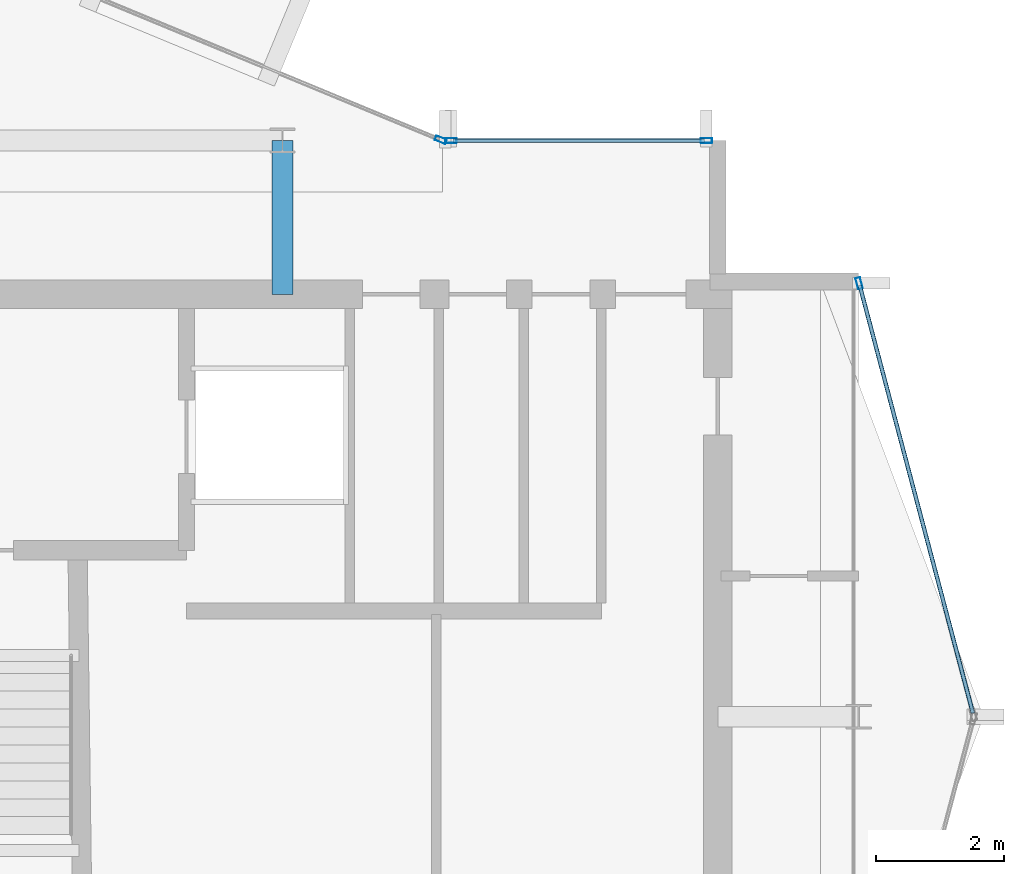
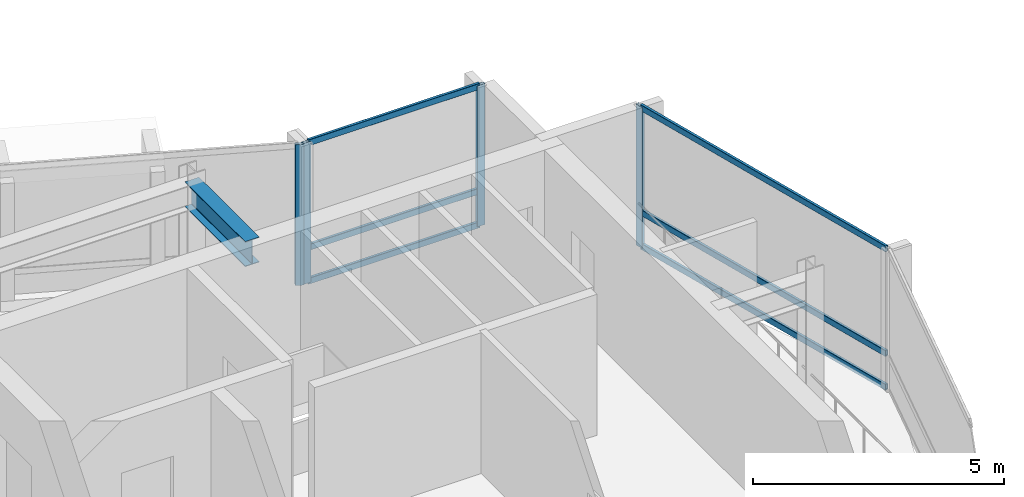
# One storey, part 10 of 19: 10 members, 1 beam, 3 elements without a shape of their own.
"""IFC4 building model written with IfcOpenShell, lengths in metres."""

from ifc_helpers import new_model, si_unit, direction, frame, origin, origin_2d, place, context, subcontext, project, spatial, hollow_rectangle, i_section, extrude, material, layer, layer_set, material_profile, profile_set, type_object, element, aggregate, save


model = new_model("IFC4")

# Units and contexts
model_context = context("Model", 3, precision=1e-05, world=origin(), true_north=direction((0.0, 1.0)))
body_context = subcontext(model_context, "Body", "Model", "MODEL_VIEW")
ifc_project = project(units=[si_unit("LENGTHUNIT", "METRE"), si_unit("AREAUNIT", "SQUARE_METRE"), si_unit("VOLUMEUNIT", "CUBIC_METRE"), si_unit("PLANEANGLEUNIT", "RADIAN"), si_unit("MASSUNIT", "GRAM", prefix="KILO")], contexts=[model_context])

# Site, building, storey
site_placement = place(None, origin())
site = spatial("IfcSite", under=ifc_project, at=site_placement, CompositionType="ELEMENT")
building_placement = place(site_placement, origin())
building = spatial("IfcBuilding", under=site, at=building_placement, Name="Solvaryn Broadcast Tower", CompositionType="ELEMENT")
storey_placement = place(building_placement, frame((0.0, 0.0, 244.5)))
storey = spatial("IfcBuildingStorey", under=building, at=storey_placement, Name="L61", CompositionType="ELEMENT", Elevation=244.5)

# Beam
ifc_material_1 = material(Name="Steel ASTM A992 Grade 50", Category="steel")
ifc_material_profile_1 = material_profile(ifc_material_1, i_section(OverallWidth=0.323974609375, OverallDepth=0.611083984375, WebThickness=0.0126953125, FlangeThickness=0.01904296875, FilletRadius=0.014892578125, at=origin_2d()))
ifc_profile_set_1 = profile_set([ifc_material_profile_1], Name="Steel ASTM A992 Grade 50")
beam_type = type_object("IfcBeamType", Name="BM-B1-W24X104", PredefinedType="BEAM", material=ifc_profile_set_1)
beam_placement = place(storey_placement, frame((36.0, 24.60009765625, 3.114501953125), z_axis=(0.0, 1.0, 0.0), x_axis=(-1.0, 0.0, 0.0)))
element("IfcBeam", 1, at=beam_placement, inside=storey, type_object=beam_type, Name="L61 Core Tie Beam CTE2", PredefinedType="BEAM", context=body_context, shape_type="SweptSolid", body=[
    extrude(i_section(OverallWidth=0.323974609375, OverallDepth=0.611083984375, WebThickness=0.0126953125, FlangeThickness=0.01904296875, FilletRadius=0.014892578125, at=origin_2d()), origin(), (0.0, 0.0, 1.0), 2.39990234375),
])

# Curtain wall, member
ifc_material_2 = material(Name="Aluminium and Terracotta Unitised Curtain Wall", Category="masonry")
ifc_layer = layer(ifc_material_2, 0.199951171875)
ifc_layer_set = layer_set([ifc_layer], Name="CW-SYS2-LOWMID")
curtain_wall_type = type_object("IfcCurtainWallType", Name="CW-SYS2-LOWMID", PredefinedType="NOTDEFINED", material=ifc_layer_set)
curtain_wall_1_placement = place(storey_placement, origin())
curtain_wall_1 = element("IfcCurtainWall", 2, at=curtain_wall_1_placement, inside=storey, type_object=curtain_wall_type, Name="L61 Curtain Wall CN1", PredefinedType="NOTDEFINED")
ifc_material_3 = material(Name="Anodised Aluminium 6063-T6", Category="aluminium")
ifc_material_profile_2 = material_profile(ifc_material_3, hollow_rectangle(XDim=0.074951171875, YDim=0.179931640625, WallThickness=0.00390625, InnerFilletRadius=0.00390625, OuterFilletRadius=0.008056640625, at=origin_2d()))
ifc_profile_set_2 = profile_set([ifc_material_profile_2], Name="Anodised Aluminium 6063-T6")
member_type_1 = type_object("IfcMemberType", Name="CW-MUL-180", PredefinedType="MULLION", material=ifc_profile_set_2)
member_1_placement = place(storey_placement, frame((38.47216796875, 27.011474609375, 0.0), z_axis=(0.0, 0.0, 1.0), x_axis=(-0.382646127145, -0.923894983957, 0.0)))
member_1 = element("IfcMember", 3, at=member_1_placement, type_object=member_type_1, Name="CWS2 mullion 1", PredefinedType="MULLION", context=body_context, shape_type="SweptSolid", body=[
    extrude(hollow_rectangle(XDim=0.074951171875, YDim=0.179931640625, WallThickness=0.00390625, InnerFilletRadius=0.00390625, OuterFilletRadius=0.008056640625, at=origin_2d()), origin(), (0.0, 0.0, 1.0), 3.419921875),
])
aggregate(curtain_wall_1, [member_1])

curtain_wall_2_placement = place(storey_placement, origin())
curtain_wall_2 = element("IfcCurtainWall", 4, at=curtain_wall_2_placement, inside=storey, type_object=curtain_wall_type, Name="L61 Curtain Wall ET1", PredefinedType="NOTDEFINED")
member_2_placement = place(storey_placement, frame((45.007568359375, 24.77099609375, 0.0), z_axis=(0.0, 0.0, 1.0), x_axis=(0.966705227863, 0.25589256031, 0.0)))
member_2 = element("IfcMember", 5, at=member_2_placement, type_object=member_type_1, Name="CWS2 mullion 1", PredefinedType="MULLION", context=body_context, shape_type="SweptSolid", body=[
    extrude(hollow_rectangle(XDim=0.074951171875, YDim=0.179931640625, WallThickness=0.00390625, InnerFilletRadius=0.00390625, OuterFilletRadius=0.008056640625, at=origin_2d()), origin(), (0.0, 0.0, 1.0), 3.419921875),
])

# Curtain wall, members
curtain_wall_3_placement = place(storey_placement, origin())
curtain_wall_3 = element("IfcCurtainWall", 6, at=curtain_wall_3_placement, inside=storey, type_object=curtain_wall_type, Name="L61 Curtain Wall IH", PredefinedType="NOTDEFINED")
member_3_placement = place(storey_placement, frame((38.6298828125, 27.0, 0.0), z_axis=(0.0, 0.0, 1.0), x_axis=(0.0, 1.0, 0.0)))
member_3 = element("IfcMember", 7, at=member_3_placement, type_object=member_type_1, Name="CWS2 mullion 1", PredefinedType="MULLION", context=body_context, shape_type="SweptSolid", body=[
    extrude(hollow_rectangle(XDim=0.074951171875, YDim=0.179931640625, WallThickness=0.00390625, InnerFilletRadius=0.00390625, OuterFilletRadius=0.008056640625, at=origin_2d()), origin(), (0.0, 0.0, 1.0), 3.419921875),
])
member_4_placement = place(storey_placement, frame((42.6201171875, 27.0, 0.0), z_axis=(0.0, 0.0, 1.0), x_axis=(0.0, 1.0, 0.0)))
member_4 = element("IfcMember", 8, at=member_4_placement, type_object=member_type_1, Name="CWS2 mullion 2", PredefinedType="MULLION", context=body_context, shape_type="SweptSolid", body=[
    extrude(hollow_rectangle(XDim=0.074951171875, YDim=0.179931640625, WallThickness=0.00390625, InnerFilletRadius=0.00390625, OuterFilletRadius=0.008056640625, at=origin_2d()), origin(), (0.0, 0.0, 1.0), 3.419921875),
])

# Member
ifc_material_4 = material(Name="Anodised Aluminium 6063-T6", Category="aluminium")
ifc_material_profile_3 = material_profile(ifc_material_4, hollow_rectangle(XDim=0.06494140625, YDim=0.14990234375, WallThickness=0.00390625, InnerFilletRadius=0.00390625, OuterFilletRadius=0.008056640625, at=origin_2d()))
ifc_profile_set_3 = profile_set([ifc_material_profile_3], Name="Anodised Aluminium 6063-T6")
member_type_2 = type_object("IfcMemberType", Name="CW-TRN-150", PredefinedType="USERDEFINED", material=ifc_profile_set_3)
member_5_placement = place(storey_placement, frame((45.015380859375, 24.741943359375, 0.030029296875), z_axis=(0.255897413051, -0.966703943301, 0.0), x_axis=(0.966703943301, 0.255897413051, 0.0)))
member_5 = element("IfcMember", 9, at=member_5_placement, type_object=member_type_2, Name="CWS2 transom 1.1", ObjectType="TRANSOM", PredefinedType="USERDEFINED", context=body_context, shape_type="SweptSolid", body=[
    extrude(hollow_rectangle(XDim=0.06494140625, YDim=0.14990234375, WallThickness=0.00390625, InnerFilletRadius=0.00390625, OuterFilletRadius=0.008056640625, at=origin_2d()), origin(), (0.0, 0.0, 1.0), 6.9140625),
])

member_6_placement = place(storey_placement, frame((45.015380859375, 24.741943359375, 0.85009765625), z_axis=(0.255897413051, -0.966703943301, 0.0), x_axis=(0.966703943301, 0.255897413051, 0.0)))
member_6 = element("IfcMember", 10, at=member_6_placement, type_object=member_type_2, Name="CWS2 transom 1.2", ObjectType="TRANSOM", PredefinedType="USERDEFINED", context=body_context, shape_type="SweptSolid", body=[
    extrude(hollow_rectangle(XDim=0.06494140625, YDim=0.14990234375, WallThickness=0.00390625, InnerFilletRadius=0.00390625, OuterFilletRadius=0.008056640625, at=origin_2d()), origin(), (0.0, 0.0, 1.0), 6.9140625),
])

member_7_placement = place(storey_placement, frame((45.015380859375, 24.741943359375, 3.389892578125), z_axis=(0.255897413051, -0.966703943301, 0.0), x_axis=(0.966703943301, 0.255897413051, 0.0)))
member_7 = element("IfcMember", 11, at=member_7_placement, type_object=member_type_2, Name="CWS2 transom 1.3", ObjectType="TRANSOM", PredefinedType="USERDEFINED", context=body_context, shape_type="SweptSolid", body=[
    extrude(hollow_rectangle(XDim=0.06494140625, YDim=0.14990234375, WallThickness=0.00390625, InnerFilletRadius=0.00390625, OuterFilletRadius=0.008056640625, at=origin_2d()), origin(), (0.0, 0.0, 1.0), 6.9140625),
])

aggregate(curtain_wall_2, [member_2, member_5, member_6, member_7])

member_8_placement = place(storey_placement, frame((38.659912109375, 27.0, 0.030029296875), z_axis=(1.0, 0.0, 0.0), x_axis=(0.0, 1.0, 0.0)))
member_8 = element("IfcMember", 12, at=member_8_placement, type_object=member_type_2, Name="CWS2 transom 1.1", ObjectType="TRANSOM", PredefinedType="USERDEFINED", context=body_context, shape_type="SweptSolid", body=[
    extrude(hollow_rectangle(XDim=0.06494140625, YDim=0.14990234375, WallThickness=0.00390625, InnerFilletRadius=0.00390625, OuterFilletRadius=0.008056640625, at=origin_2d()), origin(), (0.0, 0.0, 1.0), 3.93017578125),
])

member_9_placement = place(storey_placement, frame((38.659912109375, 27.0, 0.85009765625), z_axis=(1.0, 0.0, 0.0), x_axis=(0.0, 1.0, 0.0)))
member_9 = element("IfcMember", 13, at=member_9_placement, type_object=member_type_2, Name="CWS2 transom 1.2", ObjectType="TRANSOM", PredefinedType="USERDEFINED", context=body_context, shape_type="SweptSolid", body=[
    extrude(hollow_rectangle(XDim=0.06494140625, YDim=0.14990234375, WallThickness=0.00390625, InnerFilletRadius=0.00390625, OuterFilletRadius=0.008056640625, at=origin_2d()), origin(), (0.0, 0.0, 1.0), 3.93017578125),
])

member_10_placement = place(storey_placement, frame((38.659912109375, 27.0, 3.389892578125), z_axis=(1.0, 0.0, 0.0), x_axis=(0.0, 1.0, 0.0)))
member_10 = element("IfcMember", 14, at=member_10_placement, type_object=member_type_2, Name="CWS2 transom 1.3", ObjectType="TRANSOM", PredefinedType="USERDEFINED", context=body_context, shape_type="SweptSolid", body=[
    extrude(hollow_rectangle(XDim=0.06494140625, YDim=0.14990234375, WallThickness=0.00390625, InnerFilletRadius=0.00390625, OuterFilletRadius=0.008056640625, at=origin_2d()), origin(), (0.0, 0.0, 1.0), 3.93017578125),
])

aggregate(curtain_wall_3, [member_3, member_4, member_8, member_9, member_10])

save(model, "model.ifc")
